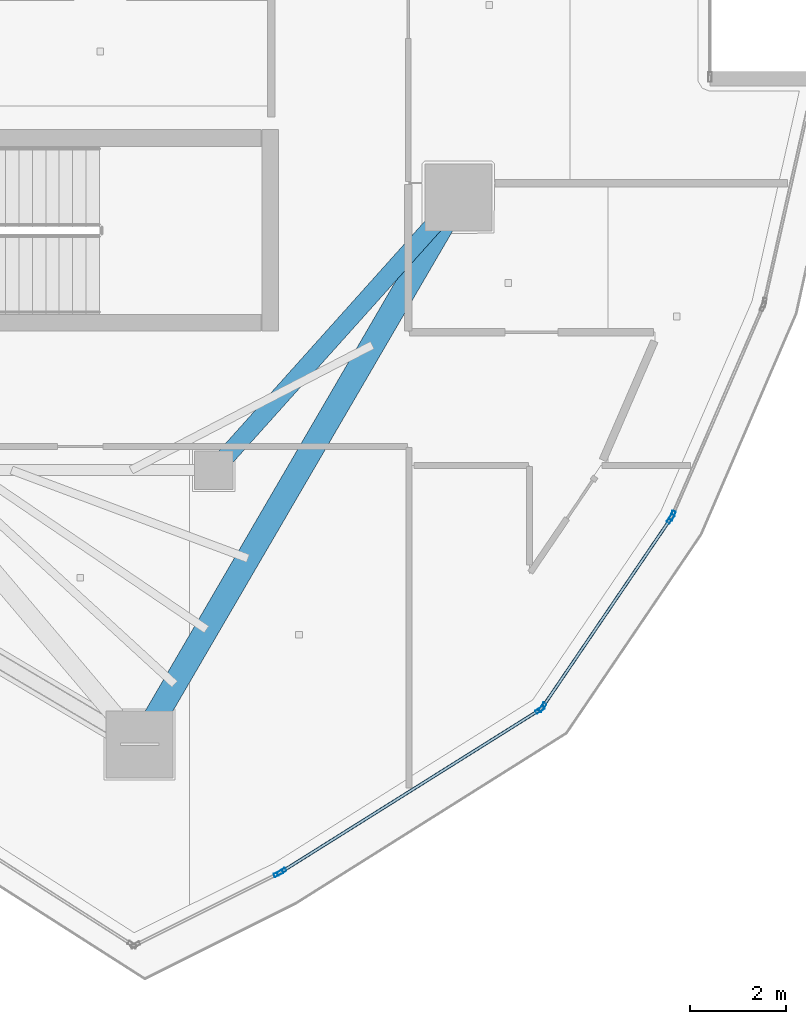
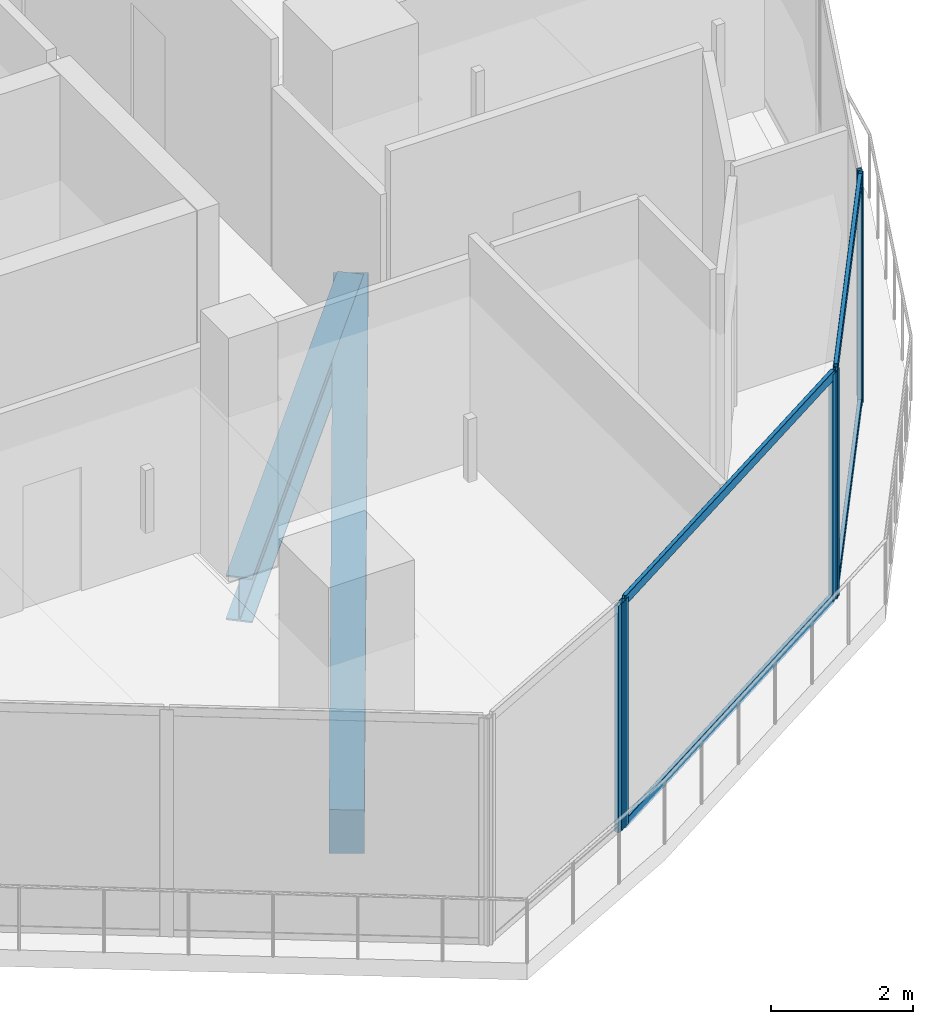
# One storey, part 9 of 25: 10 members, 2 beams, 4 elements without a shape of their own.
"""IFC4 building model written with IfcOpenShell, lengths in metres."""

from ifc_helpers import new_model, si_unit, direction, frame, origin, origin_2d, place, context, subcontext, project, spatial, rectangle, hollow_rectangle, i_section, extrude, material, layer, layer_set, material_profile, profile_set, type_object, element, aggregate, save


model = new_model("IFC4")

# Units and contexts
model_context = context("Model", 3, precision=1e-05, world=origin(), true_north=direction((0.0, 1.0)))
body_context = subcontext(model_context, "Body", "Model", "MODEL_VIEW")
ifc_project = project(units=[si_unit("LENGTHUNIT", "METRE"), si_unit("AREAUNIT", "SQUARE_METRE"), si_unit("VOLUMEUNIT", "CUBIC_METRE"), si_unit("PLANEANGLEUNIT", "RADIAN"), si_unit("MASSUNIT", "GRAM", prefix="KILO")], contexts=[model_context])

# Site, building, storey
site_placement = place(None, origin())
site = spatial("IfcSite", under=ifc_project, at=site_placement, CompositionType="ELEMENT")
building_placement = place(site_placement, origin())
building = spatial("IfcBuilding", under=site, at=building_placement, Name="Qorvath Tower", CompositionType="ELEMENT")
storey_placement = place(building_placement, frame((0.0, 0.0, 314.39990234375)))
storey = spatial("IfcBuildingStorey", under=building, at=storey_placement, Name="L73", CompositionType="ELEMENT", Elevation=314.39990234375)

# Beams
ifc_material_1 = material(Name="Steel ASTM A992 Grade 50", Category="steel")
ifc_material_profile_1 = material_profile(ifc_material_1, i_section(OverallWidth=0.381103515625, OverallDepth=0.77294921875, WebThickness=0.0166015625, FlangeThickness=0.027099609375, FilletRadius=0.01904296875, at=origin_2d()), Name="W30x173")
ifc_profile_set_1 = profile_set([ifc_material_profile_1], Name="Steel ASTM A992 Grade 50")
beam_type_1 = type_object("IfcBeamType", Name="BM-FG3", PredefinedType="BEAM", material=ifc_profile_set_1)
beam_1_placement = place(storey_placement, frame((-17.199951171875, -11.449951171875, -0.67626953125), z_axis=(0.667543184261, 0.744571082669, 0.0), x_axis=(-0.744571082669, 0.667543184261, 0.0)))
element("IfcBeam", 1, at=beam_1_placement, inside=storey, type_object=beam_type_1, Name="Radial Floor Girder CC3-MC4 L73", PredefinedType="BEAM", context=body_context, shape_type="SweptSolid", body=[
    extrude(i_section(OverallWidth=0.381103515625, OverallDepth=0.77294921875, WebThickness=0.0166015625, FlangeThickness=0.027099609375, FilletRadius=0.01904296875, at=origin_2d()), origin(), (0.0, 0.0, 1.0), 7.644775390625),
])
ifc_material_2 = material(Name="Concrete C45/55", Category="concrete")
ifc_material_profile_2 = material_profile(ifc_material_2, rectangle(XDim=0.5, YDim=0.75, at=origin_2d()), Name="RCB 750x500")
ifc_profile_set_2 = profile_set([ifc_material_profile_2], Name="Concrete C45/55")
beam_type_2 = type_object("IfcBeamType", Name="BM-RCB3", PredefinedType="SPANDREL", material=ifc_profile_set_2)
beam_2_placement = place(storey_placement, frame((-18.75048828125, -17.175537109375, -0.664794921875), z_axis=(0.503502256692, 0.863993910572, 0.0), x_axis=(-0.863993910572, 0.503502256692, 0.0)))
element("IfcBeam", 2, at=beam_2_placement, inside=storey, type_object=beam_type_2, Name="Perimeter Loggia Frame Beam MC3-MC4 L73", PredefinedType="SPANDREL", context=body_context, shape_type="SweptSolid", body=[
    extrude(rectangle(XDim=0.5, YDim=0.75, at=origin_2d()), origin(), (0.0, 0.0, 1.0), 13.215087890625),
])

# Curtain wall, member
ifc_material_3 = material(Name="Anodised aluminium and triple low-E glass", Category="aluminium")
ifc_layer = layer(ifc_material_3, 0.179931640625)
ifc_layer_set = layer_set([ifc_layer], Name="CW-SYS-4")
curtain_wall_type = type_object("IfcCurtainWallType", Name="CW-SYS-4", PredefinedType="NOTDEFINED", material=ifc_layer_set)
curtain_wall_1_placement = place(storey_placement, origin())
curtain_wall_1 = element("IfcCurtainWall", 3, at=curtain_wall_1_placement, inside=storey, type_object=curtain_wall_type, Name="Curtain Wall CW-4 CW-T-L73-3.1", PredefinedType="NOTDEFINED")
ifc_material_4 = material(Name="Anodised aluminium 6063-T6", Category="aluminium")
ifc_material_profile_3 = material_profile(ifc_material_4, hollow_rectangle(XDim=0.074951171875, YDim=0.199951171875, WallThickness=0.00390625, InnerFilletRadius=0.00390625, OuterFilletRadius=0.008056640625, at=origin_2d()), Name="CWM 200x75")
ifc_profile_set_3 = profile_set([ifc_material_profile_3], Name="Anodised aluminium 6063-T6")
member_type_1 = type_object("IfcMemberType", Name="CWM-200", PredefinedType="MULLION", material=ifc_profile_set_3)
member_1_placement = place(storey_placement, frame((-15.85107421875, -19.87255859375, 0.0), z_axis=(0.0, 0.0, 1.0), x_axis=(-0.447225307528, 0.89442133489, 0.0)))
member_1 = element("IfcMember", 4, at=member_1_placement, type_object=member_type_1, Name="CW-4 mullion 2", PredefinedType="MULLION", context=body_context, shape_type="SweptSolid", body=[
    extrude(hollow_rectangle(XDim=0.074951171875, YDim=0.199951171875, WallThickness=0.00390625, InnerFilletRadius=0.00390625, OuterFilletRadius=0.008056640625, at=origin_2d()), origin(), (0.0, 0.0, 1.0), 3.91015625),
])
aggregate(curtain_wall_1, [member_1])

# Curtain wall, members
curtain_wall_2_placement = place(storey_placement, origin())
curtain_wall_2 = element("IfcCurtainWall", 5, at=curtain_wall_2_placement, inside=storey, type_object=curtain_wall_type, Name="Curtain Wall CW-4 CW-T-L73-4.1", PredefinedType="NOTDEFINED")
member_2_placement = place(storey_placement, frame((-15.785888671875, -19.835693359375, 0.0), z_axis=(0.0, 0.0, 1.0), x_axis=(-0.531347774042, 0.847153789474, 0.0)))
member_2 = element("IfcMember", 6, at=member_2_placement, type_object=member_type_1, Name="CW-4 mullion 1", PredefinedType="MULLION", context=body_context, shape_type="SweptSolid", body=[
    extrude(hollow_rectangle(XDim=0.074951171875, YDim=0.199951171875, WallThickness=0.00390625, InnerFilletRadius=0.00390625, OuterFilletRadius=0.008056640625, at=origin_2d()), origin(), (0.0, 0.0, 1.0), 3.91015625),
])
member_3_placement = place(storey_placement, frame((-10.392822265625, -16.453125, 0.0), z_axis=(0.0, 0.0, 1.0), x_axis=(-0.531347774042, 0.847153789474, 0.0)))
member_3 = element("IfcMember", 7, at=member_3_placement, type_object=member_type_1, Name="CW-4 mullion 2", PredefinedType="MULLION", context=body_context, shape_type="SweptSolid", body=[
    extrude(hollow_rectangle(XDim=0.074951171875, YDim=0.199951171875, WallThickness=0.00390625, InnerFilletRadius=0.00390625, OuterFilletRadius=0.008056640625, at=origin_2d()), origin(), (0.0, 0.0, 1.0), 3.91015625),
])

curtain_wall_3_placement = place(storey_placement, origin())
curtain_wall_3 = element("IfcCurtainWall", 8, at=curtain_wall_3_placement, inside=storey, type_object=curtain_wall_type, Name="Curtain Wall CW-4 CW-T-L73-5.1", PredefinedType="NOTDEFINED")
member_4_placement = place(storey_placement, frame((-10.340087890625, -16.40234375, 0.0), z_axis=(0.0, 0.0, 1.0), x_axis=(-0.827070691934, 0.562097918999, 0.0)))
member_4 = element("IfcMember", 9, at=member_4_placement, type_object=member_type_1, Name="CW-4 mullion 1", PredefinedType="MULLION", context=body_context, shape_type="SweptSolid", body=[
    extrude(hollow_rectangle(XDim=0.074951171875, YDim=0.199951171875, WallThickness=0.00390625, InnerFilletRadius=0.00390625, OuterFilletRadius=0.008056640625, at=origin_2d()), origin(), (0.0, 0.0, 1.0), 3.91015625),
])
member_5_placement = place(storey_placement, frame((-7.66357421875, -12.46435546875, 0.0), z_axis=(0.0, 0.0, 1.0), x_axis=(-0.827070691934, 0.562097918999, 0.0)))
member_5 = element("IfcMember", 10, at=member_5_placement, type_object=member_type_1, Name="CW-4 mullion 2", PredefinedType="MULLION", context=body_context, shape_type="SweptSolid", body=[
    extrude(hollow_rectangle(XDim=0.074951171875, YDim=0.199951171875, WallThickness=0.00390625, InnerFilletRadius=0.00390625, OuterFilletRadius=0.008056640625, at=origin_2d()), origin(), (0.0, 0.0, 1.0), 3.91015625),
])

# Curtain wall, member
curtain_wall_4_placement = place(storey_placement, origin())
curtain_wall_4 = element("IfcCurtainWall", 11, at=curtain_wall_4_placement, inside=storey, type_object=curtain_wall_type, Name="Curtain Wall CW-4 CW-T-L73-6.1", PredefinedType="NOTDEFINED")
member_6_placement = place(storey_placement, frame((-7.627685546875, -12.39892578125, 0.0), z_axis=(0.0, 0.0, 1.0), x_axis=(-0.917479167341, 0.397783832623, 0.0)))
member_6 = element("IfcMember", 12, at=member_6_placement, type_object=member_type_1, Name="CW-4 mullion 1", PredefinedType="MULLION", context=body_context, shape_type="SweptSolid", body=[
    extrude(hollow_rectangle(XDim=0.074951171875, YDim=0.199951171875, WallThickness=0.00390625, InnerFilletRadius=0.00390625, OuterFilletRadius=0.008056640625, at=origin_2d()), origin(), (0.0, 0.0, 1.0), 3.91015625),
])
aggregate(curtain_wall_4, [member_6])

# Member
ifc_material_5 = material(Name="Anodised aluminium 6063-T6", Category="aluminium")
ifc_material_profile_4 = material_profile(ifc_material_5, hollow_rectangle(XDim=0.06494140625, YDim=0.159912109375, WallThickness=0.00341796875, InnerFilletRadius=0.00341796875, OuterFilletRadius=0.007080078125, at=origin_2d()), Name="CWT 160x65")
ifc_profile_set_4 = profile_set([ifc_material_profile_4], Name="Anodised aluminium 6063-T6")
member_type_2 = type_object("IfcMemberType", Name="CWT-160", PredefinedType="USERDEFINED", material=ifc_profile_set_4)
member_7_placement = place(storey_placement, frame((-15.754150390625, -19.81591796875, 0.032470703125), z_axis=(0.847155691082, 0.531344742203, 0.0), x_axis=(-0.531344742203, 0.847155691082, 0.0)))
member_7 = element("IfcMember", 13, at=member_7_placement, type_object=member_type_2, Name="CW-4 transom 1.1", ObjectType="TRANSOM", PredefinedType="USERDEFINED", context=body_context, shape_type="SweptSolid", body=[
    extrude(hollow_rectangle(XDim=0.06494140625, YDim=0.159912109375, WallThickness=0.00341796875, InnerFilletRadius=0.00341796875, OuterFilletRadius=0.007080078125, at=origin_2d()), origin(), (0.0, 0.0, 1.0), 6.291259765625),
])

member_8_placement = place(storey_placement, frame((-15.754150390625, -19.81591796875, 3.877685546875), z_axis=(0.847155691082, 0.531344742203, 0.0), x_axis=(-0.531344742203, 0.847155691082, 0.0)))
member_8 = element("IfcMember", 14, at=member_8_placement, type_object=member_type_2, Name="CW-4 transom 1.2", ObjectType="TRANSOM", PredefinedType="USERDEFINED", context=body_context, shape_type="SweptSolid", body=[
    extrude(hollow_rectangle(XDim=0.06494140625, YDim=0.159912109375, WallThickness=0.00341796875, InnerFilletRadius=0.00341796875, OuterFilletRadius=0.007080078125, at=origin_2d()), origin(), (0.0, 0.0, 1.0), 6.291259765625),
])

aggregate(curtain_wall_2, [member_2, member_3, member_7, member_8])

member_9_placement = place(storey_placement, frame((-10.31884765625, -16.371337890625, 0.032470703125), z_axis=(0.562072028752, 0.827088287002, 0.0), x_axis=(-0.827088287002, 0.562072028752, 0.0)))
member_9 = element("IfcMember", 15, at=member_9_placement, type_object=member_type_2, Name="CW-4 transom 1.1", ObjectType="TRANSOM", PredefinedType="USERDEFINED", context=body_context, shape_type="SweptSolid", body=[
    extrude(hollow_rectangle(XDim=0.06494140625, YDim=0.159912109375, WallThickness=0.00341796875, InnerFilletRadius=0.00341796875, OuterFilletRadius=0.007080078125, at=origin_2d()), origin(), (0.0, 0.0, 1.0), 4.686279296875),
])

member_10_placement = place(storey_placement, frame((-10.31884765625, -16.371337890625, 3.877685546875), z_axis=(0.562072028752, 0.827088287002, 0.0), x_axis=(-0.827088287002, 0.562072028752, 0.0)))
member_10 = element("IfcMember", 16, at=member_10_placement, type_object=member_type_2, Name="CW-4 transom 1.2", ObjectType="TRANSOM", PredefinedType="USERDEFINED", context=body_context, shape_type="SweptSolid", body=[
    extrude(hollow_rectangle(XDim=0.06494140625, YDim=0.159912109375, WallThickness=0.00341796875, InnerFilletRadius=0.00341796875, OuterFilletRadius=0.007080078125, at=origin_2d()), origin(), (0.0, 0.0, 1.0), 4.686279296875),
])

aggregate(curtain_wall_3, [member_4, member_5, member_9, member_10])

save(model, "model.ifc")
